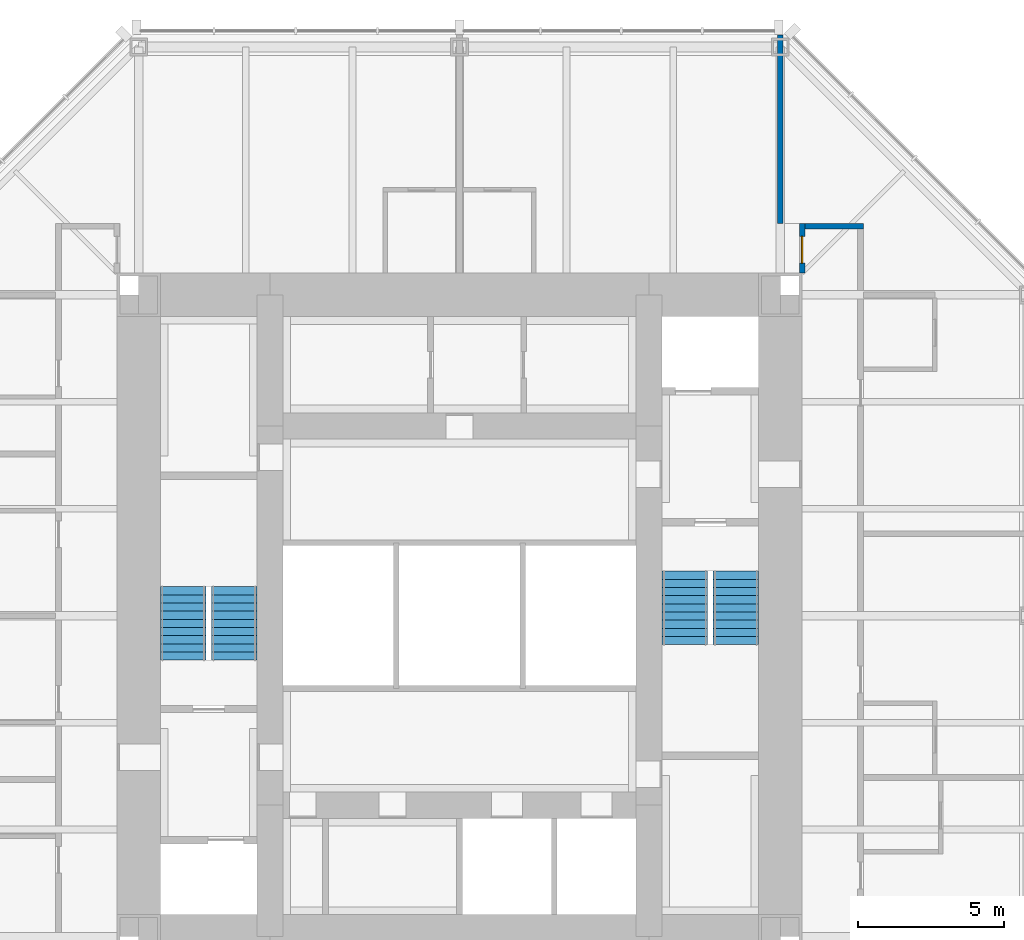
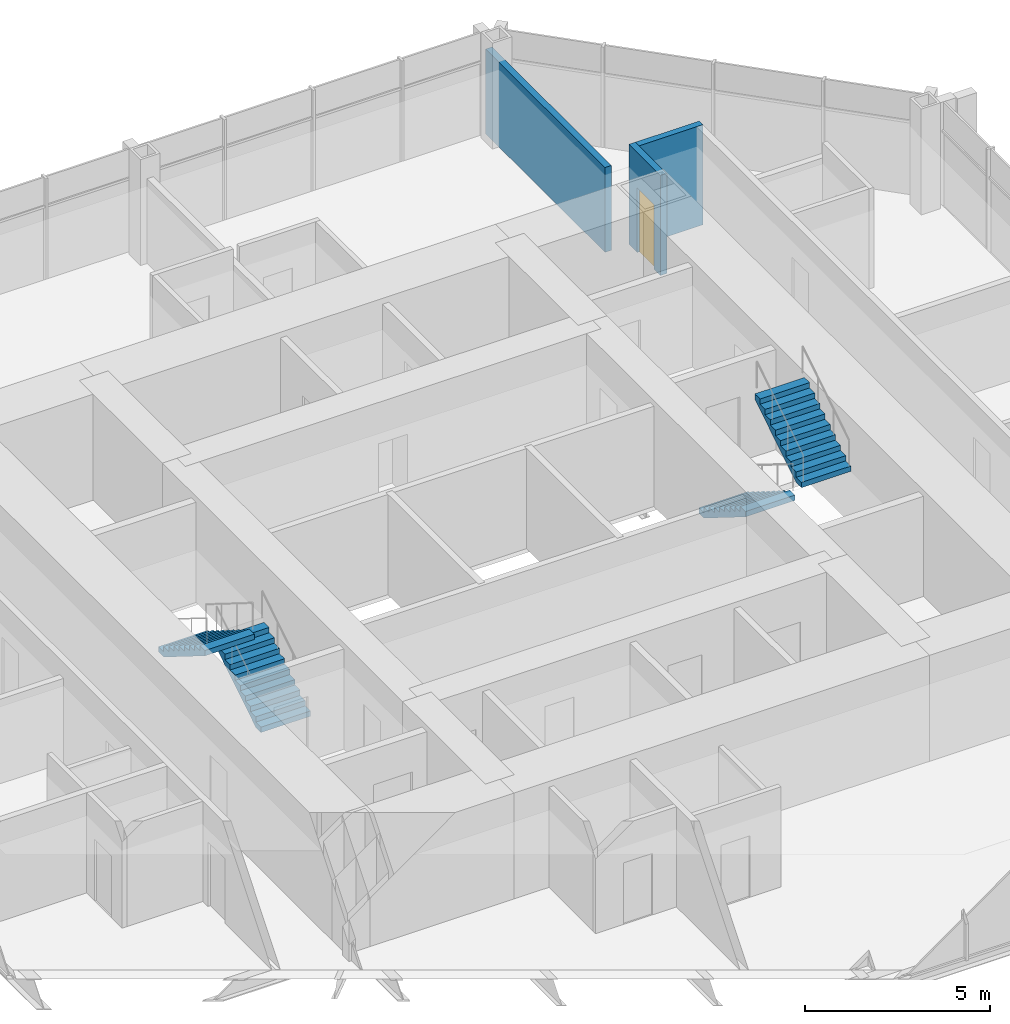
# One storey, part 10 of 11: 4 stair flights, 3 walls, 1 door, 1 opening, 2 elements without a shape of their own.
"""IFC4 building model written with IfcOpenShell, lengths in metres."""

from ifc_helpers import new_model, si_unit, direction, frame, frame_2d, origin, place, context, subcontext, project, spatial, polyline, rectangle, outline, extrude, material, layer, layer_set, type_object, element, fill, aggregate, save


model = new_model("IFC4")

# Units and contexts
model_context = context("Model", 3, precision=1e-05, world=origin(), true_north=direction((0.0, 1.0)))
body_context = subcontext(model_context, "Body", "Model", "MODEL_VIEW")
ifc_project = project(units=[si_unit("LENGTHUNIT", "METRE"), si_unit("AREAUNIT", "SQUARE_METRE"), si_unit("VOLUMEUNIT", "CUBIC_METRE"), si_unit("PLANEANGLEUNIT", "RADIAN"), si_unit("MASSUNIT", "GRAM", prefix="KILO")], contexts=[model_context])

# Site, building, storey
site_placement = place(None, origin())
site = spatial("IfcSite", under=ifc_project, at=site_placement, CompositionType="ELEMENT")
building_placement = place(site_placement, origin())
building = spatial("IfcBuilding", under=site, at=building_placement, Name="Trevanion Tower", CompositionType="ELEMENT")
storey_placement = place(building_placement, frame((0.0, 0.0, 222.199951171875)))
storey = spatial("IfcBuildingStorey", under=building, at=storey_placement, Name="L53", CompositionType="ELEMENT", Elevation=222.199951171875)

# Wall, opening, door
ifc_material_1 = material(Name="Concrete masonry, grouted", Category="masonry")
ifc_layer = layer(ifc_material_1, 0.199951171875)
ifc_layer_set = layer_set([ifc_layer], Name="PT2 partition 200 1 HR")
wall_type = type_object("IfcWallType", Name="PT2 partition 200 1 HR", PredefinedType="PARTITIONING", material=ifc_layer_set)
wall_1_placement = place(storey_placement, frame((11.75, 11.75, 0.0), z_axis=(0.0, 0.0, 1.0), x_axis=(0.0, 1.0, 0.0)))
wall_1 = element("IfcWall", 1, at=wall_1_placement, inside=storey, type_object=wall_type, Name="PT2 L53 HO1a", PredefinedType="PARTITIONING", context=body_context, shape_type="SweptSolid", body=[
    extrude(rectangle(XDim=1.699951171875, YDim=0.199951171875, at=frame_2d((0.85009765625, 0.0))), origin(), (0.0, 0.0, 1.0), 3.31005859375),
])
opening_placement = place(wall_1_placement, frame((0.342529296875, 0.0, 0.0)))
opening = element("IfcOpeningElement", 2, at=opening_placement, cuts=wall_1, Name="Opening 53-024", PredefinedType="OPENING", context=body_context, shape_type="SweptSolid", body=[
    extrude(rectangle(XDim=0.9150390625, YDim=2.134033203125, at=frame_2d((0.45751953125, 1.06689453125))), frame((0.0, 0.10986328125, 0.0), z_axis=(0.0, -1.0, 0.0), x_axis=(1.0, 0.0, 0.0)), (0.0, 0.0, 1.0), 0.219970703125),
])
ifc_material_2 = material(Name="Timber veneer, fire rated", Category="wood")
door_type = type_object("IfcDoorType", Name="D6 guest room entrance door", OperationType="SINGLE_SWING_LEFT", PredefinedType="DOOR", material=ifc_material_2)
door_placement = place(opening_placement, origin())
door = element("IfcDoor", 3, at=door_placement, inside=storey, type_object=door_type, Name="Door 53-024", OperationType="SINGLE_SWING_LEFT", OverallHeight=2.134033203125, OverallWidth=0.9150390625, PredefinedType="DOOR", context=body_context, shape_type="SweptSolid", body=[
    extrude(rectangle(XDim=0.9150390625, YDim=2.134033203125, at=frame_2d((0.45751953125, 1.06689453125))), frame((0.0, 0.02490234375, 0.0), z_axis=(0.0, -1.0, 0.0), x_axis=(1.0, 0.0, 0.0)), (0.0, 0.0, 1.0), 0.050048828125),
])
fill(opening, door)

# Walls
wall_2_placement = place(storey_placement, frame((13.85009765625, 13.35009765625, 0.0), z_axis=(0.0, 0.0, 1.0), x_axis=(-1.0, 0.0, 0.0)))
element("IfcWall", 4, at=wall_2_placement, inside=storey, type_object=wall_type, Name="PT2 L53 HC1ca", PredefinedType="PARTITIONING", context=body_context, shape_type="SweptSolid", body=[
    extrude(rectangle(XDim=2.0, YDim=0.199951171875, at=frame_2d((1.0, 0.0))), origin(), (0.0, 0.0, 1.0), 3.31005859375),
])
wall_3_placement = place(storey_placement, frame((11.0, 13.449951171875, 0.0), z_axis=(0.0, 0.0, 1.0), x_axis=(0.0, 1.0, 0.0)))
element("IfcWall", 5, at=wall_3_placement, inside=storey, type_object=wall_type, Name="PT2 L53 HD10", PredefinedType="PARTITIONING", context=body_context, shape_type="SweptSolid", body=[
    extrude(rectangle(XDim=6.465087890625, YDim=0.199951171875, at=frame_2d((3.232421875, 0.0))), origin(), (0.0, 0.0, 1.0), 2.802001953125),
])

# Stair, stair flights
ifc_material_3 = material(Name="Concrete 5,000 psi on steel stringers", Category="concrete")
stair_type = type_object("IfcStairType", Name="ST stair", PredefinedType="HALF_TURN_STAIR", material=ifc_material_3)
stair_1_placement = place(storey_placement, origin())
stair_1 = element("IfcStair", 6, at=stair_1_placement, inside=storey, type_object=stair_type, Name="ST1 L53", PredefinedType="HALF_TURN_STAIR")
ifc_material_4 = material(Name="Concrete 5,000 psi in steel pan", Category="concrete")
stair_flight_type = type_object("IfcStairFlightType", Name="STF stair flight", PredefinedType="STRAIGHT", material=ifc_material_4)
stair_flight_1_placement = place(storey_placement, frame((7.72509765625, 1.52490234375, 0.0), z_axis=(0.0, 0.0, 1.0), x_axis=(0.0, -1.0, 0.0)))
stair_flight_1 = element("IfcStairFlight", 7, at=stair_flight_1_placement, type_object=stair_flight_type, Name="ST1 flight 1", NumberOfRisers=10, NumberOfTreads=9, PredefinedType="STRAIGHT", RiserHeight=0.175, TreadLength=0.28, context=body_context, shape_type="SweptSolid", body=[
    extrude(outline(polyline([(0.0, 0.0), (0.0, 0.175048828125), (0.280029296875, 0.175048828125), (0.280029296875, 0.35009765625), (0.56005859375, 0.35009765625), (0.56005859375, 0.52490234375), (0.840087890625, 0.52490234375), (0.840087890625, 0.699951171875), (1.1201171875, 0.699951171875), (1.1201171875, 0.875), (1.39990234375, 0.875), (1.39990234375, 1.050048828125), (1.679931640625, 1.050048828125), (1.679931640625, 1.22509765625), (1.9599609375, 1.22509765625), (1.9599609375, 1.39990234375), (2.239990234375, 1.39990234375), (2.239990234375, 1.574951171875), (2.52001953125, 1.574951171875), (2.52001953125, 1.75), (2.52001953125, 1.398193359375), (0.28271484375, 0.0), (0.0, 0.0)])), frame((0.0, 0.77490234375, 0.0), z_axis=(0.0, -1.0, 0.0), x_axis=(1.0, 0.0, 0.0)), (0.0, 0.0, 1.0), 1.550048828125),
])
stair_flight_2_placement = place(storey_placement, frame((9.47509765625, -0.9951171875, 1.75), z_axis=(0.0, 0.0, 1.0), x_axis=(0.0, 1.0, 0.0)))
stair_flight_2 = element("IfcStairFlight", 8, at=stair_flight_2_placement, type_object=stair_flight_type, Name="ST1 flight 2", NumberOfRisers=10, NumberOfTreads=9, PredefinedType="STRAIGHT", RiserHeight=0.175, TreadLength=0.28, context=body_context, shape_type="SweptSolid", body=[
    extrude(outline(polyline([(0.0, 0.0), (0.0, 0.175048828125), (0.280029296875, 0.175048828125), (0.280029296875, 0.35009765625), (0.56005859375, 0.35009765625), (0.56005859375, 0.52490234375), (0.840087890625, 0.52490234375), (0.840087890625, 0.699951171875), (1.1201171875, 0.699951171875), (1.1201171875, 0.875), (1.39990234375, 0.875), (1.39990234375, 1.050048828125), (1.679931640625, 1.050048828125), (1.679931640625, 1.22509765625), (1.9599609375, 1.22509765625), (1.9599609375, 1.39990234375), (2.239990234375, 1.39990234375), (2.239990234375, 1.574951171875), (2.52001953125, 1.574951171875), (2.52001953125, 1.75), (2.52001953125, 1.398193359375), (0.28271484375, 0.0), (0.0, 0.0)])), frame((0.0, 0.77490234375, 0.0), z_axis=(0.0, -1.0, 0.0), x_axis=(1.0, 0.0, 0.0)), (0.0, 0.0, 1.0), 1.550048828125),
])
aggregate(stair_1, [stair_flight_1, stair_flight_2])

stair_2_placement = place(storey_placement, origin())
stair_2 = element("IfcStair", 9, at=stair_2_placement, inside=storey, type_object=stair_type, Name="ST2 L53", PredefinedType="HALF_TURN_STAIR")
stair_flight_3_placement = place(storey_placement, frame((-7.72509765625, -1.52490234375, 0.0), z_axis=(0.0, 0.0, 1.0), x_axis=(0.0, 1.0, 0.0)))
stair_flight_3 = element("IfcStairFlight", 10, at=stair_flight_3_placement, type_object=stair_flight_type, Name="ST2 flight 1", NumberOfRisers=10, NumberOfTreads=9, PredefinedType="STRAIGHT", RiserHeight=0.175, TreadLength=0.28, context=body_context, shape_type="SweptSolid", body=[
    extrude(outline(polyline([(0.0, 0.0), (0.0, 0.175048828125), (0.280029296875, 0.175048828125), (0.280029296875, 0.35009765625), (0.56005859375, 0.35009765625), (0.56005859375, 0.52490234375), (0.840087890625, 0.52490234375), (0.840087890625, 0.699951171875), (1.1201171875, 0.699951171875), (1.1201171875, 0.875), (1.39990234375, 0.875), (1.39990234375, 1.050048828125), (1.679931640625, 1.050048828125), (1.679931640625, 1.22509765625), (1.9599609375, 1.22509765625), (1.9599609375, 1.39990234375), (2.239990234375, 1.39990234375), (2.239990234375, 1.574951171875), (2.52001953125, 1.574951171875), (2.52001953125, 1.75), (2.52001953125, 1.398193359375), (0.28271484375, 0.0), (0.0, 0.0)])), frame((0.0, 0.77490234375, 0.0), z_axis=(0.0, -1.0, 0.0), x_axis=(1.0, 0.0, 0.0)), (0.0, 0.0, 1.0), 1.550048828125),
])
stair_flight_4_placement = place(storey_placement, frame((-9.47509765625, 0.9951171875, 1.75), z_axis=(0.0, 0.0, 1.0), x_axis=(0.0, -1.0, 0.0)))
stair_flight_4 = element("IfcStairFlight", 11, at=stair_flight_4_placement, type_object=stair_flight_type, Name="ST2 flight 2", NumberOfRisers=10, NumberOfTreads=9, PredefinedType="STRAIGHT", RiserHeight=0.175, TreadLength=0.28, context=body_context, shape_type="SweptSolid", body=[
    extrude(outline(polyline([(0.0, 0.0), (0.0, 0.175048828125), (0.280029296875, 0.175048828125), (0.280029296875, 0.35009765625), (0.56005859375, 0.35009765625), (0.56005859375, 0.52490234375), (0.840087890625, 0.52490234375), (0.840087890625, 0.699951171875), (1.1201171875, 0.699951171875), (1.1201171875, 0.875), (1.39990234375, 0.875), (1.39990234375, 1.050048828125), (1.679931640625, 1.050048828125), (1.679931640625, 1.22509765625), (1.9599609375, 1.22509765625), (1.9599609375, 1.39990234375), (2.239990234375, 1.39990234375), (2.239990234375, 1.574951171875), (2.52001953125, 1.574951171875), (2.52001953125, 1.75), (2.52001953125, 1.398193359375), (0.28271484375, 0.0), (0.0, 0.0)])), frame((0.0, 0.77490234375, 0.0), z_axis=(0.0, -1.0, 0.0), x_axis=(1.0, 0.0, 0.0)), (0.0, 0.0, 1.0), 1.550048828125),
])
aggregate(stair_2, [stair_flight_3, stair_flight_4])

save(model, "model.ifc")
